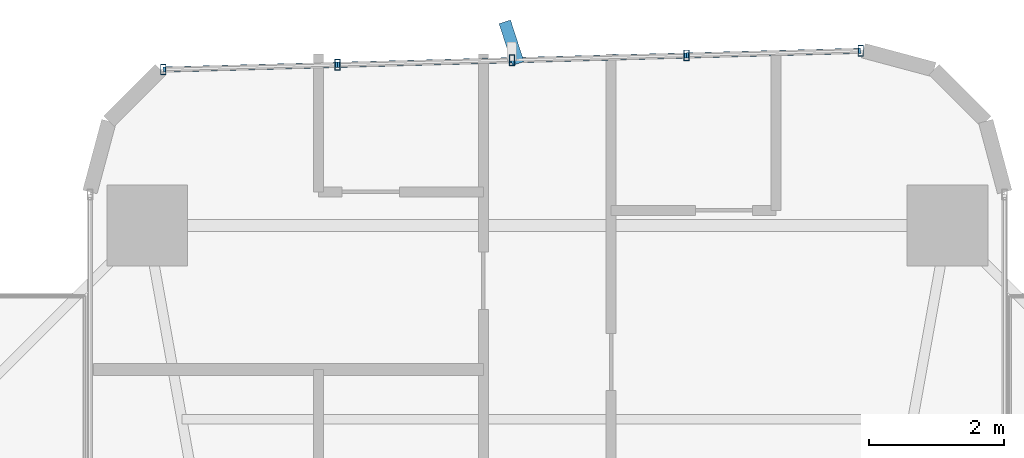
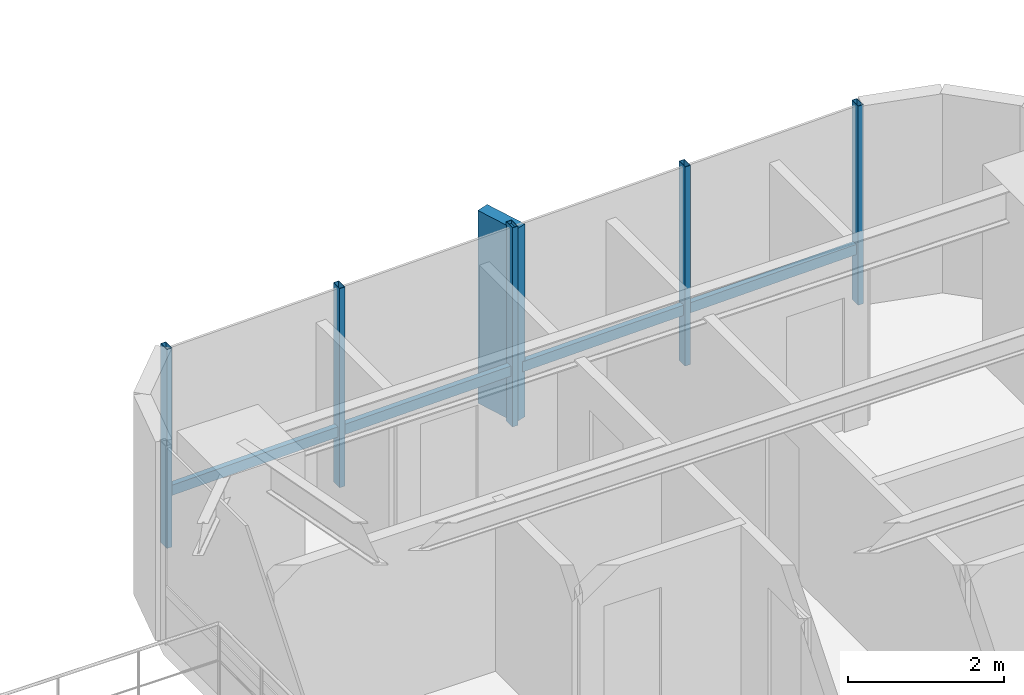
# One storey, part 19 of 27: 10 members, 1 element without a shape of its own.
"""IFC4 building model written with IfcOpenShell, lengths in metres."""

from ifc_helpers import new_model, si_unit, direction, frame, origin, origin_2d, place, context, subcontext, project, spatial, rectangle, hollow_rectangle, extrude, source, transform, mapped, material, material_profile, profile_set, type_object, element, aggregate, save


model = new_model("IFC4")

# Units and contexts
model_context = context("Model", 3, precision=1e-05, world=origin(), true_north=direction((0.0, 1.0)))
body_context = subcontext(model_context, "Body", "Model", "MODEL_VIEW")
ifc_project = project(units=[si_unit("LENGTHUNIT", "METRE"), si_unit("AREAUNIT", "SQUARE_METRE"), si_unit("VOLUMEUNIT", "CUBIC_METRE"), si_unit("PLANEANGLEUNIT", "RADIAN"), si_unit("MASSUNIT", "GRAM", prefix="KILO")], contexts=[model_context])

# Site, building, storey
site_placement = place(None, origin())
site = spatial("IfcSite", under=ifc_project, at=site_placement, CompositionType="ELEMENT")
building_placement = place(site_placement, origin())
building = spatial("IfcBuilding", under=site, at=building_placement, Name="Sahyath Konkavel Grand Hotel", CompositionType="ELEMENT")
storey_placement = place(building_placement, frame((0.0, 0.0, 23.10009765625)))
storey = spatial("IfcBuildingStorey", under=building, at=storey_placement, Name="L05", CompositionType="ELEMENT", Elevation=23.10009765625)

# Curtain wall, members
ifc_material_1 = material(Name="Anodised Bronze Aluminium & Low-E Glazing", Category="aluminium")
curtain_wall_type = type_object("IfcCurtainWallType", Name="CW-ZONE1", PredefinedType="NOTDEFINED", material=ifc_material_1)
curtain_wall_placement = place(storey_placement, origin())
curtain_wall = element("IfcCurtainWall", 1, at=curtain_wall_placement, inside=storey, type_object=curtain_wall_type, Name="L05 Unitised Curtain Wall F12", PredefinedType="NOTDEFINED")
ifc_material_2 = material(Name="Anodised Bronze Aluminium", Category="aluminium")
ifc_material_profile_1 = material_profile(ifc_material_2, hollow_rectangle(XDim=0.080078125, YDim=0.159912109375, WallThickness=0.006103515625, at=origin_2d()), Name="RHS 160x80x6")
ifc_profile_set_1 = profile_set([ifc_material_profile_1], Name="Anodised Bronze Aluminium")
member_type_1 = type_object("IfcMemberType", Name="CW-MUL-160", PredefinedType="MULLION", material=ifc_profile_set_1)
shared_shape_1 = source(origin(), body_context, "Body", "SweptSolid", [
    extrude(hollow_rectangle(XDim=0.080078125, YDim=0.159912109375, WallThickness=0.006103515625, at=origin_2d()), origin(), (0.0, 0.0, 1.0), 3.10986328125),
])
member_1_placement = place(storey_placement, frame((4.659912109375, 24.798828125, 0.0), z_axis=(0.0, 0.0, 1.0), x_axis=(1.0, 0.0, 0.0)))
member_1 = element("IfcMember", 2, at=member_1_placement, type_object=member_type_1, Name="L05 Curtain Wall Mullion F12-0", PredefinedType="MULLION", context=body_context, shape_type="MappedRepresentation", body=[
    mapped(shared_shape_1, transform((0.0, 0.0, 0.0), scale=1.0)),
])
member_2_placement = place(storey_placement, frame((2.0673828125, 24.72900390625, 0.0), z_axis=(0.0, 0.0, 1.0), x_axis=(1.0, 0.0, 0.0)))
member_2 = element("IfcMember", 3, at=member_2_placement, type_object=member_type_1, Name="L05 Curtain Wall Mullion F12-1", PredefinedType="MULLION", context=body_context, shape_type="MappedRepresentation", body=[
    mapped(shared_shape_1, transform((0.0, 0.0, 0.0), scale=1.0)),
])
member_3_placement = place(storey_placement, frame((-0.52490234375, 24.6591796875, 0.0), z_axis=(0.0, 0.0, 1.0), x_axis=(1.0, 0.0, 0.0)))
member_3 = element("IfcMember", 4, at=member_3_placement, type_object=member_type_1, Name="L05 Curtain Wall Mullion F12-2", PredefinedType="MULLION", context=body_context, shape_type="MappedRepresentation", body=[
    mapped(shared_shape_1, transform((0.0, 0.0, 0.0), scale=1.0)),
])
member_4_placement = place(storey_placement, frame((-3.117431640625, 24.589599609375, 0.0), z_axis=(0.0, 0.0, 1.0), x_axis=(1.0, 0.0, 0.0)))
member_4 = element("IfcMember", 5, at=member_4_placement, type_object=member_type_1, Name="L05 Curtain Wall Mullion F12-3", PredefinedType="MULLION", context=body_context, shape_type="MappedRepresentation", body=[
    mapped(shared_shape_1, transform((0.0, 0.0, 0.0), scale=1.0)),
])
member_5_placement = place(storey_placement, frame((-5.7099609375, 24.519775390625, 0.0), z_axis=(0.0, 0.0, 1.0), x_axis=(1.0, 0.0, 0.0)))
member_5 = element("IfcMember", 6, at=member_5_placement, type_object=member_type_1, Name="L05 Curtain Wall Mullion F12-4", PredefinedType="MULLION", context=body_context, shape_type="MappedRepresentation", body=[
    mapped(shared_shape_1, transform((0.0, 0.0, 0.0), scale=1.0)),
])
ifc_material_3 = material(Name="Warm Buff Sandstone Cladding on Concrete C50/60", Category="masonry")
ifc_material_profile_2 = material_profile(ifc_material_3, rectangle(XDim=0.179931640625, YDim=0.64990234375, at=origin_2d()), Name="FIN 180x650")
ifc_profile_set_2 = profile_set([ifc_material_profile_2], Name="Warm Buff Sandstone Cladding on Concrete C50/60")
member_type_2 = type_object("IfcMemberType", Name="FIN-SANDSTONE-650", PredefinedType="MULLION", material=ifc_profile_set_2)
shared_shape_2 = source(origin(), body_context, "Body", "SweptSolid", [
    extrude(rectangle(XDim=0.179931640625, YDim=0.64990234375, at=origin_2d()), origin(), (0.0, 0.0, 1.0), 3.010009765625),
])
member_6_placement = place(storey_placement, frame((-0.531982421875, 24.919189453125, 0.0498046875), z_axis=(0.0, 0.0, 1.0), x_axis=(0.951056516295, 0.309016994375, 0.0)))
member_6 = element("IfcMember", 7, at=member_6_placement, type_object=member_type_2, Name="L05 Sandstone Vertical Solar Fin FIN F12-2", PredefinedType="MULLION", context=body_context, shape_type="MappedRepresentation", body=[
    mapped(shared_shape_2, transform((0.0, 0.0, 0.0), scale=1.0)),
])
ifc_material_profile_3 = material_profile(ifc_material_2, hollow_rectangle(XDim=0.080078125, YDim=0.159912109375, WallThickness=0.006103515625, at=origin_2d()), Name="RHS 160x80x6")
ifc_profile_set_3 = profile_set([ifc_material_profile_3], Name="Anodised Bronze Aluminium")
member_type_3 = type_object("IfcMemberType", Name="CW-TRN-160", PredefinedType="USERDEFINED", material=ifc_profile_set_3)
shared_shape_3 = source(origin(), body_context, "Body", "SweptSolid", [
    extrude(hollow_rectangle(XDim=0.080078125, YDim=0.159912109375, WallThickness=0.006103515625, at=origin_2d()), origin(), (0.0, 0.0, 1.0), 2.593505859375),
])
member_7_placement = place(storey_placement, frame((4.659912109375, 24.798828125, 0.849853515625), z_axis=(-0.999637507825, -0.026923093252, 0.0), x_axis=(0.026923093252, -0.999637507825, 0.0)))
member_7 = element("IfcMember", 8, at=member_7_placement, type_object=member_type_3, Name="L05 Curtain Wall Transom F12-0-spandrel", ObjectType="TRANSOM", PredefinedType="USERDEFINED", context=body_context, shape_type="MappedRepresentation", body=[
    mapped(shared_shape_3, transform((0.0, 0.0, 0.0), scale=1.0)),
])
member_8_placement = place(storey_placement, frame((-0.52490234375, 24.6591796875, 0.849853515625), z_axis=(-0.999640036937, -0.02682902444, 0.0), x_axis=(0.02682902444, -0.999640036937, 0.0)))
member_8 = element("IfcMember", 9, at=member_8_placement, type_object=member_type_3, Name="L05 Curtain Wall Transom F12-2-spandrel", ObjectType="TRANSOM", PredefinedType="USERDEFINED", context=body_context, shape_type="MappedRepresentation", body=[
    mapped(shared_shape_3, transform((0.0, 0.0, 0.0), scale=1.0)),
])
member_9_placement = place(storey_placement, frame((-3.117431640625, 24.589599609375, 0.849853515625), z_axis=(-0.999637507825, -0.026923093252, 0.0), x_axis=(0.026923093252, -0.999637507825, 0.0)))
member_9 = element("IfcMember", 10, at=member_9_placement, type_object=member_type_3, Name="L05 Curtain Wall Transom F12-3-spandrel", ObjectType="TRANSOM", PredefinedType="USERDEFINED", context=body_context, shape_type="MappedRepresentation", body=[
    mapped(shared_shape_3, transform((0.0, 0.0, 0.0), scale=1.0)),
])
shared_shape_4 = source(origin(), body_context, "Body", "SweptSolid", [
    extrude(hollow_rectangle(XDim=0.080078125, YDim=0.159912109375, WallThickness=0.006103515625, at=origin_2d()), origin(), (0.0, 0.0, 1.0), 2.59326171875),
])
member_10_placement = place(storey_placement, frame((2.0673828125, 24.72900390625, 0.849853515625), z_axis=(-0.99963743958, -0.026925627022, 0.0), x_axis=(0.026925627022, -0.99963743958, 0.0)))
member_10 = element("IfcMember", 11, at=member_10_placement, type_object=member_type_3, Name="L05 Curtain Wall Transom F12-1-spandrel", ObjectType="TRANSOM", PredefinedType="USERDEFINED", context=body_context, shape_type="MappedRepresentation", body=[
    mapped(shared_shape_4, transform((0.0, 0.0, 0.0), scale=1.0)),
])
aggregate(curtain_wall, [member_1, member_2, member_3, member_6, member_4, member_5, member_7, member_10, member_8, member_9])

save(model, "model.ifc")
